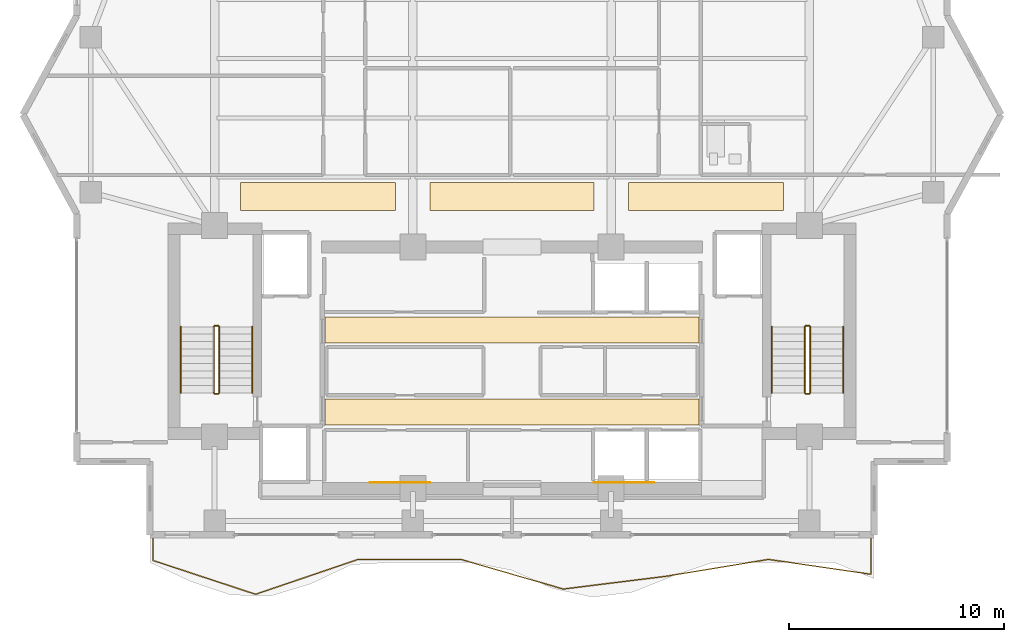
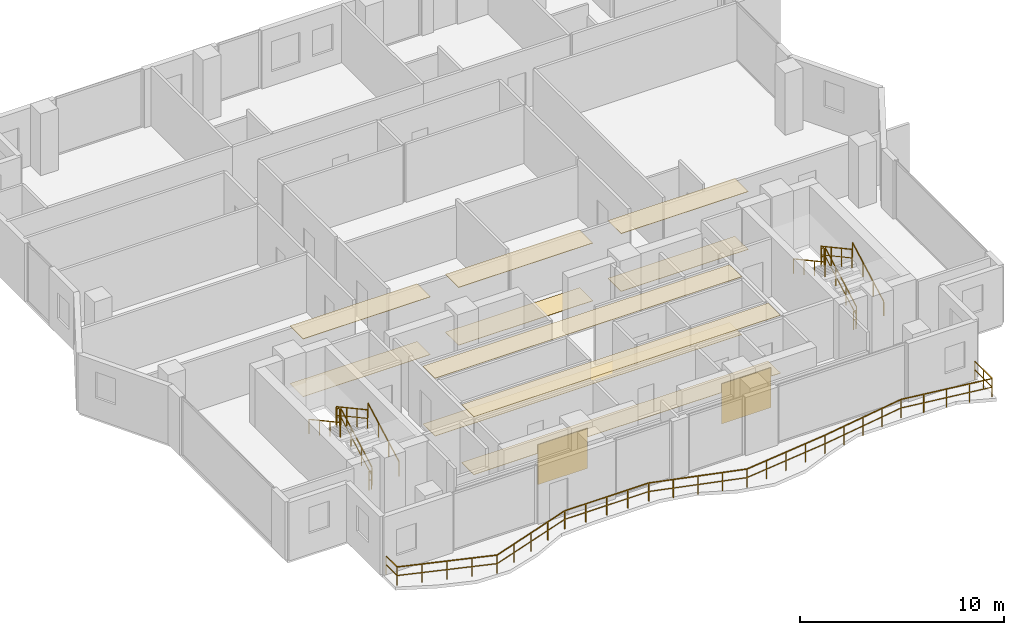
# One storey, part 21 of 23: 13 railings, 12 coverings.
"""IFC4 building model written with IfcOpenShell, lengths in metres."""

from ifc_helpers import new_model, si_unit, direction, frame, origin, origin_2d, place, context, subcontext, project, spatial, polyline, rectangle, outline, extrude, material, layer, layer_set, type_object, element, save


model = new_model("IFC4")

# Units and contexts
model_context = context("Model", 3, precision=1e-05, world=origin(), true_north=direction((0.0, 1.0)))
body_context = subcontext(model_context, "Body", "Model", "MODEL_VIEW")
ifc_project = project(units=[si_unit("LENGTHUNIT", "METRE"), si_unit("AREAUNIT", "SQUARE_METRE"), si_unit("VOLUMEUNIT", "CUBIC_METRE"), si_unit("PLANEANGLEUNIT", "RADIAN"), si_unit("MASSUNIT", "GRAM", prefix="KILO")], contexts=[model_context])

# Site, building, storey
site_placement = place(None, origin())
site = spatial("IfcSite", under=ifc_project, at=site_placement, CompositionType="ELEMENT")
building_placement = place(site_placement, origin())
building = spatial("IfcBuilding", under=site, at=building_placement, Name="Zuhayl Quay Hotel", CompositionType="ELEMENT")
storey_placement = place(building_placement, frame((0.0, 0.0, 261.85009765625)))
storey = spatial("IfcBuildingStorey", under=building, at=storey_placement, Name="L66", CompositionType="ELEMENT", Elevation=261.85009765625)

# Coverings
ifc_material_1 = material(Name="Acoustic Mineral-Fibre Gypsum Board")
ifc_layer_1 = layer(ifc_material_1, 0.02490234375, Name="Acoustic Mineral-Fibre Gypsum Board")
ifc_layer_set_1 = layer_set([ifc_layer_1], Name="Acoustic Mineral-Fibre Gypsum Board")
covering_type_1 = type_object("IfcCoveringType", Name="CV_CEIL_ACOUSTIC", PredefinedType="CEILING", material=ifc_layer_set_1)
covering_1_placement = place(storey_placement, frame((0.0, 0.0, 3.454833984375)))
element("IfcCovering", 1, at=covering_1_placement, inside=storey, type_object=covering_type_1, Name="L66 Suspended Acoustic Lobby Ceiling S", PredefinedType="CEILING", context=body_context, shape_type="SweptSolid", body=[
    extrude(outline(polyline([(-8.679931640625, 5.10009765625), (8.679931640625, 5.10009765625), (8.679931640625, 6.300048828125), (-8.679931640625, 6.300048828125), (-8.679931640625, 5.10009765625)])), origin(), (0.0, 0.0, 1.0), 0.025146484375),
])
covering_2_placement = place(storey_placement, frame((0.0, 0.0, 3.454833984375)))
element("IfcCovering", 2, at=covering_2_placement, inside=storey, type_object=covering_type_1, Name="L66 Suspended Acoustic Lobby Ceiling N", PredefinedType="CEILING", context=body_context, shape_type="SweptSolid", body=[
    extrude(outline(polyline([(-8.679931640625, 8.89990234375), (8.679931640625, 8.89990234375), (8.679931640625, 10.10009765625), (-8.679931640625, 10.10009765625), (-8.679931640625, 8.89990234375)])), origin(), (0.0, 0.0, 1.0), 0.025146484375),
])
covering_3_placement = place(storey_placement, frame((0.0, 0.0, 3.454833984375)))
element("IfcCovering", 3, at=covering_3_placement, inside=storey, type_object=covering_type_1, Name="L66 Guest Corridor Acoustic Ceiling CW", PredefinedType="CEILING", context=body_context, shape_type="SweptSolid", body=[
    extrude(outline(polyline([(-12.60009765625, 15.050048828125), (-5.39990234375, 15.050048828125), (-5.39990234375, 16.35009765625), (-12.60009765625, 16.35009765625), (-12.60009765625, 15.050048828125)])), origin(), (0.0, 0.0, 1.0), 0.025146484375),
])
covering_4_placement = place(storey_placement, frame((0.0, 0.0, 3.454833984375)))
element("IfcCovering", 4, at=covering_4_placement, inside=storey, type_object=covering_type_1, Name="L66 Guest Corridor Acoustic Ceiling CC", PredefinedType="CEILING", context=body_context, shape_type="SweptSolid", body=[
    extrude(outline(polyline([(-3.800048828125, 15.050048828125), (3.800048828125, 15.050048828125), (3.800048828125, 16.35009765625), (-3.800048828125, 16.35009765625), (-3.800048828125, 15.050048828125)])), origin(), (0.0, 0.0, 1.0), 0.025146484375),
])
covering_5_placement = place(storey_placement, frame((0.0, 0.0, 3.454833984375)))
element("IfcCovering", 5, at=covering_5_placement, inside=storey, type_object=covering_type_1, Name="L66 Guest Corridor Acoustic Ceiling CE", PredefinedType="CEILING", context=body_context, shape_type="SweptSolid", body=[
    extrude(outline(polyline([(5.39990234375, 15.050048828125), (12.60009765625, 15.050048828125), (12.60009765625, 16.35009765625), (5.39990234375, 16.35009765625), (5.39990234375, 15.050048828125)])), origin(), (0.0, 0.0, 1.0), 0.025146484375),
])
ifc_material_2 = material(Name="Polished Limestone Terrazzo", Category="masonry")
ifc_layer_2 = layer(ifc_material_2, 0.02001953125, Name="Polished Limestone Terrazzo", Category="masonry")
ifc_layer_set_2 = layer_set([ifc_layer_2], Name="Polished Limestone Terrazzo")
covering_type_2 = type_object("IfcCoveringType", Name="CV_FLOOR_TERRAZZO", PredefinedType="FLOORING", material=ifc_layer_set_2)
covering_6_placement = place(storey_placement, origin())
element("IfcCovering", 6, at=covering_6_placement, inside=storey, type_object=covering_type_2, Name="L66 Honed Limestone Terrazzo Lobby Flooring S", PredefinedType="FLOORING", context=body_context, shape_type="SweptSolid", body=[
    extrude(outline(polyline([(-8.679931640625, 5.10009765625), (8.679931640625, 5.10009765625), (8.679931640625, 6.300048828125), (-8.679931640625, 6.300048828125), (-8.679931640625, 5.10009765625)])), origin(), (0.0, 0.0, 1.0), 0.02001953125),
])
covering_7_placement = place(storey_placement, origin())
element("IfcCovering", 7, at=covering_7_placement, inside=storey, type_object=covering_type_2, Name="L66 Honed Limestone Terrazzo Lobby Flooring N", PredefinedType="FLOORING", context=body_context, shape_type="SweptSolid", body=[
    extrude(outline(polyline([(-8.679931640625, 8.89990234375), (8.679931640625, 8.89990234375), (8.679931640625, 10.10009765625), (-8.679931640625, 10.10009765625), (-8.679931640625, 8.89990234375)])), origin(), (0.0, 0.0, 1.0), 0.02001953125),
])
covering_8_placement = place(storey_placement, origin())
element("IfcCovering", 8, at=covering_8_placement, inside=storey, type_object=covering_type_2, Name="L66 Guest Corridor Terrazzo Runner CW", PredefinedType="FLOORING", context=body_context, shape_type="SweptSolid", body=[
    extrude(outline(polyline([(-12.60009765625, 15.050048828125), (-5.39990234375, 15.050048828125), (-5.39990234375, 16.35009765625), (-12.60009765625, 16.35009765625), (-12.60009765625, 15.050048828125)])), origin(), (0.0, 0.0, 1.0), 0.02001953125),
])
covering_9_placement = place(storey_placement, origin())
element("IfcCovering", 9, at=covering_9_placement, inside=storey, type_object=covering_type_2, Name="L66 Guest Corridor Terrazzo Runner CC", PredefinedType="FLOORING", context=body_context, shape_type="SweptSolid", body=[
    extrude(outline(polyline([(-3.800048828125, 15.050048828125), (3.800048828125, 15.050048828125), (3.800048828125, 16.35009765625), (-3.800048828125, 16.35009765625), (-3.800048828125, 15.050048828125)])), origin(), (0.0, 0.0, 1.0), 0.02001953125),
])
covering_10_placement = place(storey_placement, origin())
element("IfcCovering", 10, at=covering_10_placement, inside=storey, type_object=covering_type_2, Name="L66 Guest Corridor Terrazzo Runner CE", PredefinedType="FLOORING", context=body_context, shape_type="SweptSolid", body=[
    extrude(outline(polyline([(5.39990234375, 15.050048828125), (12.60009765625, 15.050048828125), (12.60009765625, 16.35009765625), (5.39990234375, 16.35009765625), (5.39990234375, 15.050048828125)])), origin(), (0.0, 0.0, 1.0), 0.02001953125),
])
ifc_material_3 = material(Name="Acoustic Walnut Feature Timber", Category="wood")
ifc_layer_3 = layer(ifc_material_3, 0.02197265625, Name="Acoustic Walnut Feature Timber", Category="wood")
ifc_layer_set_3 = layer_set([ifc_layer_3], Name="Acoustic Walnut Feature Timber")
covering_type_3 = type_object("IfcCoveringType", Name="CV_WALL_CLAD", PredefinedType="CLADDING", material=ifc_layer_set_3)
for number, where, z_axis, x_axis, name in (
    (11, (-5.199951171875, 2.43603515625, 0.300048828125), (0.0, 0.0, 1.0), (1.0, 0.0, 0.0), "L66 Feature Lobby Walnut Wall Cladding W"),
    (12, (5.199951171875, 2.43603515625, 0.300048828125), (0.0, 0.0, 1.0), (1.0, 0.0, 0.0), "L66 Feature Lobby Walnut Wall Cladding E"),
):
    element("IfcCovering", number, at=place(storey_placement, frame(where, z_axis=z_axis, x_axis=x_axis)), inside=storey, type_object=covering_type_3, Name=name, PredefinedType="CLADDING", context=body_context, shape_type="SweptSolid", body=[
        extrude(rectangle(XDim=2.800048828125, YDim=0.02197265625, at=origin_2d()), origin(), (0.0, 0.0, 1.0), 2.39990234375),
    ])

# Railings
ifc_material_4 = material(Name="Anodised Aluminium and Laminated Glass", Category="aluminium")
railing_type_1 = type_object("IfcRailingType", Name="RL_EXT_BAL_1100", PredefinedType="BALUSTRADE", material=ifc_material_4)
railing_1_placement = place(storey_placement, frame((-16.659912109375, -0.1201171875, 0.0)))
element("IfcRailing", 13, at=railing_1_placement, inside=storey, type_object=railing_type_1, Name="L66 Balcony and Terrace Guard GR_L66_BAL_S", PredefinedType="BALUSTRADE", context=body_context, shape_type="SweptSolid", body=[
    extrude(rectangle(XDim=0.048095703125, YDim=0.048095703125, at=origin_2d()), frame((0.0, 0.0, 1.09619140625), z_axis=(0.0, -1.0, 0.0), x_axis=(1.0, 0.0, 0.0)), (0.0, 0.0, 1.0), 1.069580078125),
    extrude(rectangle(XDim=0.0361328125, YDim=0.0361328125, at=origin_2d()), frame((0.0, 0.0, 0.58251953125), z_axis=(0.0, -1.0, 0.0), x_axis=(1.0, 0.0, 0.0)), (0.0, 0.0, 1.0), 1.069580078125),
    extrude(rectangle(XDim=0.048095703125, YDim=0.048095703125, at=origin_2d()), frame((0.0, -1.069580078125, 1.09619140625), z_axis=(0.949715733209, -0.313113439661, 0.0), x_axis=(0.313113439661, 0.949715733209, 0.0)), (0.0, 0.0, 1.0), 5.011962890625),
    extrude(rectangle(XDim=0.0361328125, YDim=0.0361328125, at=origin_2d()), frame((0.0, -1.069580078125, 0.58251953125), z_axis=(0.949715733209, -0.313113439661, 0.0), x_axis=(0.313113439661, 0.949715733209, 0.0)), (0.0, 0.0, 1.0), 5.011962890625),
    extrude(rectangle(XDim=0.048095703125, YDim=0.048095703125, at=origin_2d()), frame((4.760009765625, -2.638916015625, 1.09619140625), z_axis=(0.946728043179, 0.322034178713, 0.0), x_axis=(-0.322034178713, 0.946728043179, 0.0)), (0.0, 0.0, 1.0), 5.02783203125),
    extrude(rectangle(XDim=0.0361328125, YDim=0.0361328125, at=origin_2d()), frame((4.760009765625, -2.638916015625, 0.58251953125), z_axis=(0.946728043179, 0.322034178713, 0.0), x_axis=(-0.322034178713, 0.946728043179, 0.0)), (0.0, 0.0, 1.0), 5.02783203125),
    extrude(rectangle(XDim=0.048095703125, YDim=0.048095703125, at=origin_2d()), frame((9.52001953125, -1.019775390625, 1.09619140625), z_axis=(1.0, 0.0, 0.0), x_axis=(0.0, 1.0, 0.0)), (0.0, 0.0, 1.0), 4.760009765625),
    extrude(rectangle(XDim=0.0361328125, YDim=0.0361328125, at=origin_2d()), frame((9.52001953125, -1.019775390625, 0.58251953125), z_axis=(1.0, 0.0, 0.0), x_axis=(0.0, 1.0, 0.0)), (0.0, 0.0, 1.0), 4.760009765625),
    extrude(rectangle(XDim=0.048095703125, YDim=0.048095703125, at=origin_2d()), frame((14.280029296875, -1.019775390625, 1.09619140625), z_axis=(0.960690237376, -0.277622527563, 0.0), x_axis=(0.277622527563, 0.960690237376, 0.0)), (0.0, 0.0, 1.0), 4.95458984375),
    extrude(rectangle(XDim=0.0361328125, YDim=0.0361328125, at=origin_2d()), frame((14.280029296875, -1.019775390625, 0.58251953125), z_axis=(0.960690237376, -0.277622527563, 0.0), x_axis=(0.277622527563, 0.960690237376, 0.0)), (0.0, 0.0, 1.0), 4.95458984375),
    extrude(rectangle(XDim=0.048095703125, YDim=0.048095703125, at=origin_2d()), frame((19.039794921875, -2.395263671875, 1.09619140625), z_axis=(0.992378562659, 0.123226573329, 0.0), x_axis=(-0.123226573329, 0.992378562659, 0.0)), (0.0, 0.0, 1.0), 4.796630859375),
    extrude(rectangle(XDim=0.0361328125, YDim=0.0361328125, at=origin_2d()), frame((19.039794921875, -2.395263671875, 0.58251953125), z_axis=(0.992378562659, 0.123226573329, 0.0), x_axis=(-0.123226573329, 0.992378562659, 0.0)), (0.0, 0.0, 1.0), 4.796630859375),
    extrude(rectangle(XDim=0.048095703125, YDim=0.048095703125, at=origin_2d()), frame((23.7998046875, -1.80419921875, 1.09619140625), z_axis=(0.986691827408, 0.162601469019, 0.0), x_axis=(-0.162601469019, 0.986691827408, 0.0)), (0.0, 0.0, 1.0), 4.82421875),
    extrude(rectangle(XDim=0.0361328125, YDim=0.0361328125, at=origin_2d()), frame((23.7998046875, -1.80419921875, 0.58251953125), z_axis=(0.986691827408, 0.162601469019, 0.0), x_axis=(-0.162601469019, 0.986691827408, 0.0)), (0.0, 0.0, 1.0), 4.82421875),
    extrude(rectangle(XDim=0.048095703125, YDim=0.048095703125, at=origin_2d()), frame((28.559814453125, -1.019775390625, 1.09619140625), z_axis=(0.989643676009, -0.143545792468, 0.0), x_axis=(0.143545792468, 0.989643676009, 0.0)), (0.0, 0.0, 1.0), 4.809814453125),
    extrude(rectangle(XDim=0.0361328125, YDim=0.0361328125, at=origin_2d()), frame((28.559814453125, -1.019775390625, 0.58251953125), z_axis=(0.989643676009, -0.143545792468, 0.0), x_axis=(0.143545792468, 0.989643676009, 0.0)), (0.0, 0.0, 1.0), 4.809814453125),
    extrude(rectangle(XDim=0.048095703125, YDim=0.048095703125, at=origin_2d()), frame((33.31982421875, -1.710205078125, 1.09619140625), z_axis=(0.0, 1.0, 0.0), x_axis=(-1.0, 0.0, 0.0)), (0.0, 0.0, 1.0), 1.710205078125),
    extrude(rectangle(XDim=0.0361328125, YDim=0.0361328125, at=origin_2d()), frame((33.31982421875, -1.710205078125, 0.58251953125), z_axis=(0.0, 1.0, 0.0), x_axis=(-1.0, 0.0, 0.0)), (0.0, 0.0, 1.0), 1.710205078125),
    extrude(rectangle(XDim=0.0419921875, YDim=0.0419921875, at=origin_2d()), origin(), (0.0, 0.0, 1.0), 1.072021484375),
    extrude(rectangle(XDim=0.0419921875, YDim=0.0419921875, at=origin_2d()), frame((0.0, -1.069580078125, 0.0)), (0.0, 0.0, 1.0), 1.072021484375),
    extrude(rectangle(XDim=0.0419921875, YDim=0.0419921875, at=origin_2d()), frame((1.18994140625, -1.4619140625, 0.0)), (0.0, 0.0, 1.0), 1.072021484375),
    extrude(rectangle(XDim=0.0419921875, YDim=0.0419921875, at=origin_2d()), frame((2.3798828125, -1.854248046875, 0.0)), (0.0, 0.0, 1.0), 1.072021484375),
    extrude(rectangle(XDim=0.0419921875, YDim=0.0419921875, at=origin_2d()), frame((3.570068359375, -2.24658203125, 0.0)), (0.0, 0.0, 1.0), 1.072021484375),
    extrude(rectangle(XDim=0.0419921875, YDim=0.0419921875, at=origin_2d()), frame((4.760009765625, -2.638916015625, 0.0)), (0.0, 0.0, 1.0), 1.072021484375),
    extrude(rectangle(XDim=0.0419921875, YDim=0.0419921875, at=origin_2d()), frame((5.949951171875, -2.234130859375, 0.0)), (0.0, 0.0, 1.0), 1.072021484375),
    extrude(rectangle(XDim=0.0419921875, YDim=0.0419921875, at=origin_2d()), frame((7.14013671875, -1.829345703125, 0.0)), (0.0, 0.0, 1.0), 1.072021484375),
    extrude(rectangle(XDim=0.0419921875, YDim=0.0419921875, at=origin_2d()), frame((8.330078125, -1.424560546875, 0.0)), (0.0, 0.0, 1.0), 1.072021484375),
    extrude(rectangle(XDim=0.0419921875, YDim=0.0419921875, at=origin_2d()), frame((9.52001953125, -1.019775390625, 0.0)), (0.0, 0.0, 1.0), 1.072021484375),
    extrude(rectangle(XDim=0.0419921875, YDim=0.0419921875, at=origin_2d()), frame((10.7099609375, -1.019775390625, 0.0)), (0.0, 0.0, 1.0), 1.072021484375),
    extrude(rectangle(XDim=0.0419921875, YDim=0.0419921875, at=origin_2d()), frame((11.89990234375, -1.019775390625, 0.0)), (0.0, 0.0, 1.0), 1.072021484375),
    extrude(rectangle(XDim=0.0419921875, YDim=0.0419921875, at=origin_2d()), frame((13.090087890625, -1.019775390625, 0.0)), (0.0, 0.0, 1.0), 1.072021484375),
    extrude(rectangle(XDim=0.0419921875, YDim=0.0419921875, at=origin_2d()), frame((14.280029296875, -1.019775390625, 0.0)), (0.0, 0.0, 1.0), 1.072021484375),
    extrude(rectangle(XDim=0.0419921875, YDim=0.0419921875, at=origin_2d()), frame((15.469970703125, -1.36376953125, 0.0)), (0.0, 0.0, 1.0), 1.072021484375),
    extrude(rectangle(XDim=0.0419921875, YDim=0.0419921875, at=origin_2d()), frame((16.659912109375, -1.70751953125, 0.0)), (0.0, 0.0, 1.0), 1.072021484375),
    extrude(rectangle(XDim=0.0419921875, YDim=0.0419921875, at=origin_2d()), frame((17.849853515625, -2.05126953125, 0.0)), (0.0, 0.0, 1.0), 1.072021484375),
    extrude(rectangle(XDim=0.0419921875, YDim=0.0419921875, at=origin_2d()), frame((19.039794921875, -2.395263671875, 0.0)), (0.0, 0.0, 1.0), 1.072021484375),
    extrude(rectangle(XDim=0.0419921875, YDim=0.0419921875, at=origin_2d()), frame((20.229736328125, -2.24755859375, 0.0)), (0.0, 0.0, 1.0), 1.072021484375),
    extrude(rectangle(XDim=0.0419921875, YDim=0.0419921875, at=origin_2d()), frame((21.419921875, -2.099609375, 0.0)), (0.0, 0.0, 1.0), 1.072021484375),
    extrude(rectangle(XDim=0.0419921875, YDim=0.0419921875, at=origin_2d()), frame((22.60986328125, -1.951904296875, 0.0)), (0.0, 0.0, 1.0), 1.072021484375),
    extrude(rectangle(XDim=0.0419921875, YDim=0.0419921875, at=origin_2d()), frame((23.7998046875, -1.80419921875, 0.0)), (0.0, 0.0, 1.0), 1.072021484375),
    extrude(rectangle(XDim=0.0419921875, YDim=0.0419921875, at=origin_2d()), frame((24.98974609375, -1.608154296875, 0.0)), (0.0, 0.0, 1.0), 1.072021484375),
    extrude(rectangle(XDim=0.0419921875, YDim=0.0419921875, at=origin_2d()), frame((26.1796875, -1.412109375, 0.0)), (0.0, 0.0, 1.0), 1.072021484375),
    extrude(rectangle(XDim=0.0419921875, YDim=0.0419921875, at=origin_2d()), frame((27.369873046875, -1.2158203125, 0.0)), (0.0, 0.0, 1.0), 1.072021484375),
    extrude(rectangle(XDim=0.0419921875, YDim=0.0419921875, at=origin_2d()), frame((28.559814453125, -1.019775390625, 0.0)), (0.0, 0.0, 1.0), 1.072021484375),
    extrude(rectangle(XDim=0.0419921875, YDim=0.0419921875, at=origin_2d()), frame((29.749755859375, -1.1923828125, 0.0)), (0.0, 0.0, 1.0), 1.072021484375),
    extrude(rectangle(XDim=0.0419921875, YDim=0.0419921875, at=origin_2d()), frame((30.93994140625, -1.364990234375, 0.0)), (0.0, 0.0, 1.0), 1.072021484375),
    extrude(rectangle(XDim=0.0419921875, YDim=0.0419921875, at=origin_2d()), frame((32.1298828125, -1.53759765625, 0.0)), (0.0, 0.0, 1.0), 1.072021484375),
    extrude(rectangle(XDim=0.0419921875, YDim=0.0419921875, at=origin_2d()), frame((33.31982421875, -1.710205078125, 0.0)), (0.0, 0.0, 1.0), 1.072021484375),
    extrude(rectangle(XDim=0.0419921875, YDim=0.0419921875, at=origin_2d()), frame((33.31982421875, -0.85498046875, 0.0)), (0.0, 0.0, 1.0), 1.072021484375),
    extrude(rectangle(XDim=0.0419921875, YDim=0.0419921875, at=origin_2d()), frame((33.31982421875, 0.0, 0.0)), (0.0, 0.0, 1.0), 1.072021484375),
])
ifc_material_5 = material(Name="Steel ASTM A992 Grade 50", Category="steel")
railing_type_2 = type_object("IfcRailingType", Name="RL_GUARD_1100", PredefinedType="GUARDRAIL", material=ifc_material_5)
railing_2_placement = place(storey_placement, frame((-13.590087890625, 6.590087890625, 0.184814453125)))
element("IfcRailing", 14, at=railing_2_placement, inside=storey, type_object=railing_type_2, Name="L66 ST1 stair guard 1", PredefinedType="GUARDRAIL", context=body_context, shape_type="SweptSolid", body=[
    extrude(rectangle(XDim=0.048095703125, YDim=0.048095703125, at=origin_2d()), frame((0.0, 0.0, 1.09619140625), z_axis=(0.0, 0.878371892512, 0.477977843049), x_axis=(-1.0, 0.0, 0.0)), (0.0, 0.0, 1.0), 3.4833984375),
    extrude(rectangle(XDim=0.0361328125, YDim=0.0361328125, at=origin_2d()), frame((0.0, 0.0, 0.58251953125), z_axis=(0.0, 0.878371892512, 0.477977843049), x_axis=(-1.0, 0.0, 0.0)), (0.0, 0.0, 1.0), 3.4833984375),
    extrude(rectangle(XDim=0.0419921875, YDim=0.0419921875, at=origin_2d()), origin(), (0.0, 0.0, 1.0), 1.072021484375),
    extrude(rectangle(XDim=0.0419921875, YDim=0.0419921875, at=origin_2d()), frame((0.0, 1.02001953125, 0.554931640625)), (0.0, 0.0, 1.0), 1.072021484375),
    extrude(rectangle(XDim=0.0419921875, YDim=0.0419921875, at=origin_2d()), frame((0.0, 2.039794921875, 1.110107421875)), (0.0, 0.0, 1.0), 1.072021484375),
    extrude(rectangle(XDim=0.0419921875, YDim=0.0419921875, at=origin_2d()), frame((0.0, 3.059814453125, 1.6650390625)), (0.0, 0.0, 1.0), 1.072021484375),
])
railing_3_placement = place(storey_placement, frame((-13.639892578125, 9.699951171875, 1.849853515625)))
element("IfcRailing", 15, at=railing_3_placement, inside=storey, type_object=railing_type_2, Name="L66 ST1 stair guard 2", PredefinedType="GUARDRAIL", context=body_context, shape_type="SweptSolid", body=[
    extrude(rectangle(XDim=0.048095703125, YDim=0.048095703125, at=origin_2d()), frame((0.0, 0.0, 1.09619140625), z_axis=(-1.0, 0.0, 0.0), x_axis=(0.0, -1.0, 0.0)), (0.0, 0.0, 1.0), 0.150146484375),
    extrude(rectangle(XDim=0.0361328125, YDim=0.0361328125, at=origin_2d()), frame((0.0, 0.0, 0.58251953125), z_axis=(-1.0, 0.0, 0.0), x_axis=(0.0, -1.0, 0.0)), (0.0, 0.0, 1.0), 0.150146484375),
    extrude(rectangle(XDim=0.0419921875, YDim=0.0419921875, at=origin_2d()), origin(), (0.0, 0.0, 1.0), 1.072021484375),
    extrude(rectangle(XDim=0.0419921875, YDim=0.0419921875, at=origin_2d()), frame((-0.150146484375, 0.0, 0.0)), (0.0, 0.0, 1.0), 1.072021484375),
])
railing_4_placement = place(storey_placement, frame((-13.840087890625, 9.64990234375, 2.034912109375)))
element("IfcRailing", 16, at=railing_4_placement, inside=storey, type_object=railing_type_2, Name="L66 ST1 stair guard 3", PredefinedType="GUARDRAIL", context=body_context, shape_type="SweptSolid", body=[
    extrude(rectangle(XDim=0.048095703125, YDim=0.048095703125, at=origin_2d()), frame((0.0, 0.0, 1.09619140625), z_axis=(0.0, -0.878371892512, 0.477977843049), x_axis=(1.0, 0.0, 0.0)), (0.0, 0.0, 1.0), 3.4833984375),
    extrude(rectangle(XDim=0.0361328125, YDim=0.0361328125, at=origin_2d()), frame((0.0, 0.0, 0.58251953125), z_axis=(0.0, -0.878371892512, 0.477977843049), x_axis=(1.0, 0.0, 0.0)), (0.0, 0.0, 1.0), 3.4833984375),
    extrude(rectangle(XDim=0.0419921875, YDim=0.0419921875, at=origin_2d()), origin(), (0.0, 0.0, 1.0), 1.072021484375),
    extrude(rectangle(XDim=0.0419921875, YDim=0.0419921875, at=origin_2d()), frame((0.0, -1.02001953125, 0.554931640625)), (0.0, 0.0, 1.0), 1.072021484375),
    extrude(rectangle(XDim=0.0419921875, YDim=0.0419921875, at=origin_2d()), frame((0.0, -2.039794921875, 1.110107421875)), (0.0, 0.0, 1.0), 1.072021484375),
    extrude(rectangle(XDim=0.0419921875, YDim=0.0419921875, at=origin_2d()), frame((0.0, -3.059814453125, 1.6650390625)), (0.0, 0.0, 1.0), 1.072021484375),
])
railing_5_placement = place(storey_placement, frame((-13.639892578125, 6.5400390625, 0.0)))
element("IfcRailing", 17, at=railing_5_placement, inside=storey, type_object=railing_type_2, Name="L66 ST1 stair guard 4", PredefinedType="GUARDRAIL", context=body_context, shape_type="SweptSolid", body=[
    extrude(rectangle(XDim=0.048095703125, YDim=0.048095703125, at=origin_2d()), frame((0.0, 0.0, 1.09619140625), z_axis=(-1.0, 0.0, 0.0), x_axis=(0.0, -1.0, 0.0)), (0.0, 0.0, 1.0), 0.150146484375),
    extrude(rectangle(XDim=0.0361328125, YDim=0.0361328125, at=origin_2d()), frame((0.0, 0.0, 0.58251953125), z_axis=(-1.0, 0.0, 0.0), x_axis=(0.0, -1.0, 0.0)), (0.0, 0.0, 1.0), 0.150146484375),
    extrude(rectangle(XDim=0.0419921875, YDim=0.0419921875, at=origin_2d()), origin(), (0.0, 0.0, 1.0), 1.072021484375),
    extrude(rectangle(XDim=0.0419921875, YDim=0.0419921875, at=origin_2d()), frame((-0.150146484375, 0.0, 0.0)), (0.0, 0.0, 1.0), 1.072021484375),
])
railing_6_placement = place(storey_placement, frame((13.840087890625, 6.590087890625, 0.184814453125)))
element("IfcRailing", 18, at=railing_6_placement, inside=storey, type_object=railing_type_2, Name="L66 ST2 stair guard 1", PredefinedType="GUARDRAIL", context=body_context, shape_type="SweptSolid", body=[
    extrude(rectangle(XDim=0.048095703125, YDim=0.048095703125, at=origin_2d()), frame((0.0, 0.0, 1.09619140625), z_axis=(0.0, 0.878371892512, 0.477977843049), x_axis=(-1.0, 0.0, 0.0)), (0.0, 0.0, 1.0), 3.4833984375),
    extrude(rectangle(XDim=0.0361328125, YDim=0.0361328125, at=origin_2d()), frame((0.0, 0.0, 0.58251953125), z_axis=(0.0, 0.878371892512, 0.477977843049), x_axis=(-1.0, 0.0, 0.0)), (0.0, 0.0, 1.0), 3.4833984375),
    extrude(rectangle(XDim=0.0419921875, YDim=0.0419921875, at=origin_2d()), origin(), (0.0, 0.0, 1.0), 1.072021484375),
    extrude(rectangle(XDim=0.0419921875, YDim=0.0419921875, at=origin_2d()), frame((0.0, 1.02001953125, 0.554931640625)), (0.0, 0.0, 1.0), 1.072021484375),
    extrude(rectangle(XDim=0.0419921875, YDim=0.0419921875, at=origin_2d()), frame((0.0, 2.039794921875, 1.110107421875)), (0.0, 0.0, 1.0), 1.072021484375),
    extrude(rectangle(XDim=0.0419921875, YDim=0.0419921875, at=origin_2d()), frame((0.0, 3.059814453125, 1.6650390625)), (0.0, 0.0, 1.0), 1.072021484375),
])
railing_7_placement = place(storey_placement, frame((13.7900390625, 9.699951171875, 1.849853515625)))
element("IfcRailing", 19, at=railing_7_placement, inside=storey, type_object=railing_type_2, Name="L66 ST2 stair guard 2", PredefinedType="GUARDRAIL", context=body_context, shape_type="SweptSolid", body=[
    extrude(rectangle(XDim=0.048095703125, YDim=0.048095703125, at=origin_2d()), frame((0.0, 0.0, 1.09619140625), z_axis=(-1.0, 0.0, 0.0), x_axis=(0.0, -1.0, 0.0)), (0.0, 0.0, 1.0), 0.150146484375),
    extrude(rectangle(XDim=0.0361328125, YDim=0.0361328125, at=origin_2d()), frame((0.0, 0.0, 0.58251953125), z_axis=(-1.0, 0.0, 0.0), x_axis=(0.0, -1.0, 0.0)), (0.0, 0.0, 1.0), 0.150146484375),
    extrude(rectangle(XDim=0.0419921875, YDim=0.0419921875, at=origin_2d()), origin(), (0.0, 0.0, 1.0), 1.072021484375),
    extrude(rectangle(XDim=0.0419921875, YDim=0.0419921875, at=origin_2d()), frame((-0.150146484375, 0.0, 0.0)), (0.0, 0.0, 1.0), 1.072021484375),
])
railing_8_placement = place(storey_placement, frame((13.590087890625, 9.64990234375, 2.034912109375)))
element("IfcRailing", 20, at=railing_8_placement, inside=storey, type_object=railing_type_2, Name="L66 ST2 stair guard 3", PredefinedType="GUARDRAIL", context=body_context, shape_type="SweptSolid", body=[
    extrude(rectangle(XDim=0.048095703125, YDim=0.048095703125, at=origin_2d()), frame((0.0, 0.0, 1.09619140625), z_axis=(0.0, -0.878371892512, 0.477977843049), x_axis=(1.0, 0.0, 0.0)), (0.0, 0.0, 1.0), 3.4833984375),
    extrude(rectangle(XDim=0.0361328125, YDim=0.0361328125, at=origin_2d()), frame((0.0, 0.0, 0.58251953125), z_axis=(0.0, -0.878371892512, 0.477977843049), x_axis=(1.0, 0.0, 0.0)), (0.0, 0.0, 1.0), 3.4833984375),
    extrude(rectangle(XDim=0.0419921875, YDim=0.0419921875, at=origin_2d()), origin(), (0.0, 0.0, 1.0), 1.072021484375),
    extrude(rectangle(XDim=0.0419921875, YDim=0.0419921875, at=origin_2d()), frame((0.0, -1.02001953125, 0.554931640625)), (0.0, 0.0, 1.0), 1.072021484375),
    extrude(rectangle(XDim=0.0419921875, YDim=0.0419921875, at=origin_2d()), frame((0.0, -2.039794921875, 1.110107421875)), (0.0, 0.0, 1.0), 1.072021484375),
    extrude(rectangle(XDim=0.0419921875, YDim=0.0419921875, at=origin_2d()), frame((0.0, -3.059814453125, 1.6650390625)), (0.0, 0.0, 1.0), 1.072021484375),
])
railing_9_placement = place(storey_placement, frame((13.7900390625, 6.5400390625, 0.0)))
element("IfcRailing", 21, at=railing_9_placement, inside=storey, type_object=railing_type_2, Name="L66 ST2 stair guard 4", PredefinedType="GUARDRAIL", context=body_context, shape_type="SweptSolid", body=[
    extrude(rectangle(XDim=0.048095703125, YDim=0.048095703125, at=origin_2d()), frame((0.0, 0.0, 1.09619140625), z_axis=(-1.0, 0.0, 0.0), x_axis=(0.0, -1.0, 0.0)), (0.0, 0.0, 1.0), 0.150146484375),
    extrude(rectangle(XDim=0.0361328125, YDim=0.0361328125, at=origin_2d()), frame((0.0, 0.0, 0.58251953125), z_axis=(-1.0, 0.0, 0.0), x_axis=(0.0, -1.0, 0.0)), (0.0, 0.0, 1.0), 0.150146484375),
    extrude(rectangle(XDim=0.0419921875, YDim=0.0419921875, at=origin_2d()), origin(), (0.0, 0.0, 1.0), 1.072021484375),
    extrude(rectangle(XDim=0.0419921875, YDim=0.0419921875, at=origin_2d()), frame((-0.150146484375, 0.0, 0.0)), (0.0, 0.0, 1.0), 1.072021484375),
])
railing_type_3 = type_object("IfcRailingType", Name="RL_HANDRAIL_920", PredefinedType="HANDRAIL", material=ifc_material_5)
railing_10_placement = place(storey_placement, frame((-12.050048828125, 6.590087890625, 0.184814453125)))
element("IfcRailing", 22, at=railing_10_placement, inside=storey, type_object=railing_type_3, Name="L66 ST1 stair handrail 1", PredefinedType="HANDRAIL", context=body_context, shape_type="SweptSolid", body=[
    extrude(rectangle(XDim=0.048095703125, YDim=0.048095703125, at=origin_2d()), frame((0.0, 0.0, 0.8759765625), z_axis=(0.0, 0.878371892512, 0.477977843049), x_axis=(-1.0, 0.0, 0.0)), (0.0, 0.0, 1.0), 3.4833984375),
    extrude(rectangle(XDim=0.0419921875, YDim=0.0419921875, at=origin_2d()), origin(), (0.0, 0.0, 1.0), 0.851806640625),
    extrude(rectangle(XDim=0.0419921875, YDim=0.0419921875, at=origin_2d()), frame((0.0, 1.02001953125, 0.554931640625)), (0.0, 0.0, 1.0), 0.851806640625),
    extrude(rectangle(XDim=0.0419921875, YDim=0.0419921875, at=origin_2d()), frame((0.0, 2.039794921875, 1.110107421875)), (0.0, 0.0, 1.0), 0.851806640625),
    extrude(rectangle(XDim=0.0419921875, YDim=0.0419921875, at=origin_2d()), frame((0.0, 3.059814453125, 1.6650390625)), (0.0, 0.0, 1.0), 0.851806640625),
])
railing_11_placement = place(storey_placement, frame((-15.3798828125, 9.64990234375, 2.034912109375)))
element("IfcRailing", 23, at=railing_11_placement, inside=storey, type_object=railing_type_3, Name="L66 ST1 stair handrail 2", PredefinedType="HANDRAIL", context=body_context, shape_type="SweptSolid", body=[
    extrude(rectangle(XDim=0.048095703125, YDim=0.048095703125, at=origin_2d()), frame((0.0, 0.0, 0.8759765625), z_axis=(0.0, -0.878371892512, 0.477977843049), x_axis=(1.0, 0.0, 0.0)), (0.0, 0.0, 1.0), 3.4833984375),
    extrude(rectangle(XDim=0.0419921875, YDim=0.0419921875, at=origin_2d()), origin(), (0.0, 0.0, 1.0), 0.851806640625),
    extrude(rectangle(XDim=0.0419921875, YDim=0.0419921875, at=origin_2d()), frame((0.0, -1.02001953125, 0.554931640625)), (0.0, 0.0, 1.0), 0.851806640625),
    extrude(rectangle(XDim=0.0419921875, YDim=0.0419921875, at=origin_2d()), frame((0.0, -2.039794921875, 1.110107421875)), (0.0, 0.0, 1.0), 0.851806640625),
    extrude(rectangle(XDim=0.0419921875, YDim=0.0419921875, at=origin_2d()), frame((0.0, -3.059814453125, 1.6650390625)), (0.0, 0.0, 1.0), 0.851806640625),
])
railing_12_placement = place(storey_placement, frame((15.3798828125, 6.590087890625, 0.184814453125)))
element("IfcRailing", 24, at=railing_12_placement, inside=storey, type_object=railing_type_3, Name="L66 ST2 stair handrail 1", PredefinedType="HANDRAIL", context=body_context, shape_type="SweptSolid", body=[
    extrude(rectangle(XDim=0.048095703125, YDim=0.048095703125, at=origin_2d()), frame((0.0, 0.0, 0.8759765625), z_axis=(0.0, 0.878371892512, 0.477977843049), x_axis=(-1.0, 0.0, 0.0)), (0.0, 0.0, 1.0), 3.4833984375),
    extrude(rectangle(XDim=0.0419921875, YDim=0.0419921875, at=origin_2d()), origin(), (0.0, 0.0, 1.0), 0.851806640625),
    extrude(rectangle(XDim=0.0419921875, YDim=0.0419921875, at=origin_2d()), frame((0.0, 1.02001953125, 0.554931640625)), (0.0, 0.0, 1.0), 0.851806640625),
    extrude(rectangle(XDim=0.0419921875, YDim=0.0419921875, at=origin_2d()), frame((0.0, 2.039794921875, 1.110107421875)), (0.0, 0.0, 1.0), 0.851806640625),
    extrude(rectangle(XDim=0.0419921875, YDim=0.0419921875, at=origin_2d()), frame((0.0, 3.059814453125, 1.6650390625)), (0.0, 0.0, 1.0), 0.851806640625),
])
railing_13_placement = place(storey_placement, frame((12.050048828125, 9.64990234375, 2.034912109375)))
element("IfcRailing", 25, at=railing_13_placement, inside=storey, type_object=railing_type_3, Name="L66 ST2 stair handrail 2", PredefinedType="HANDRAIL", context=body_context, shape_type="SweptSolid", body=[
    extrude(rectangle(XDim=0.048095703125, YDim=0.048095703125, at=origin_2d()), frame((0.0, 0.0, 0.8759765625), z_axis=(0.0, -0.878371892512, 0.477977843049), x_axis=(1.0, 0.0, 0.0)), (0.0, 0.0, 1.0), 3.4833984375),
    extrude(rectangle(XDim=0.0419921875, YDim=0.0419921875, at=origin_2d()), origin(), (0.0, 0.0, 1.0), 0.851806640625),
    extrude(rectangle(XDim=0.0419921875, YDim=0.0419921875, at=origin_2d()), frame((0.0, -1.02001953125, 0.554931640625)), (0.0, 0.0, 1.0), 0.851806640625),
    extrude(rectangle(XDim=0.0419921875, YDim=0.0419921875, at=origin_2d()), frame((0.0, -2.039794921875, 1.110107421875)), (0.0, 0.0, 1.0), 0.851806640625),
    extrude(rectangle(XDim=0.0419921875, YDim=0.0419921875, at=origin_2d()), frame((0.0, -3.059814453125, 1.6650390625)), (0.0, 0.0, 1.0), 0.851806640625),
])

save(model, "model.ifc")
